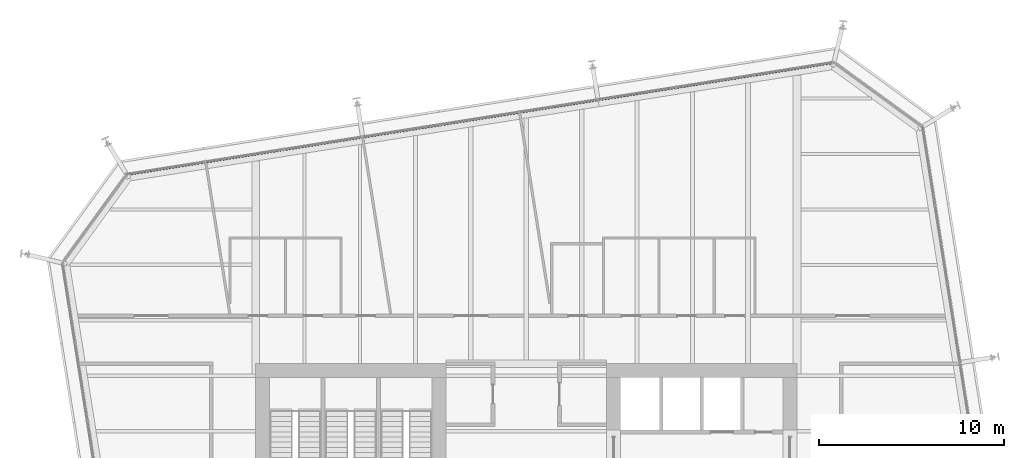
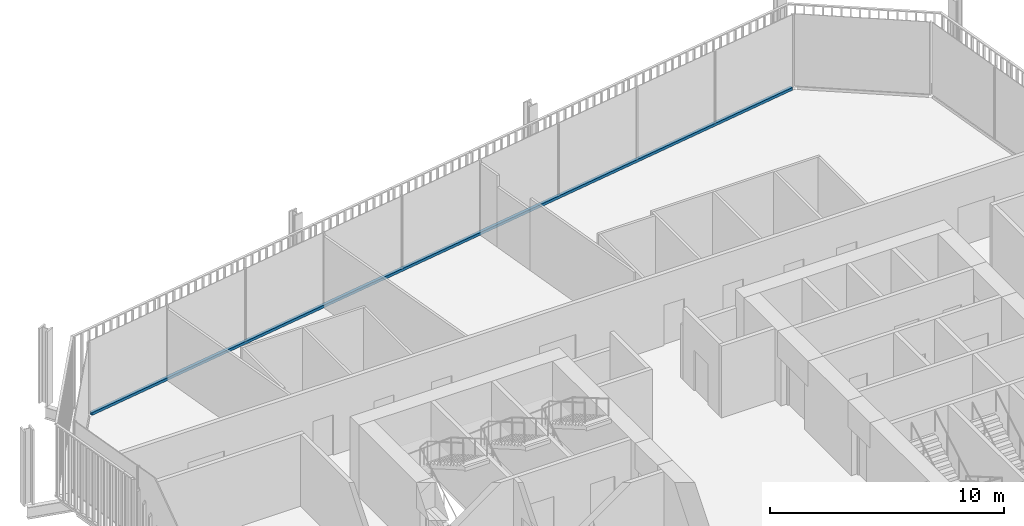
# One storey, part 12 of 21: 1 member, 1 element without a shape of its own.
"""IFC4 building model written with IfcOpenShell, lengths in metres."""

from ifc_helpers import new_model, si_unit, direction, frame, origin, origin_2d, place, context, subcontext, project, spatial, rectangle, extrude, material, layer, layer_set, material_profile, profile_set, type_object, element, aggregate, save


model = new_model("IFC4")

# Units and contexts
model_context = context("Model", 3, precision=1e-05, world=origin(), true_north=direction((0.0, 1.0)))
body_context = subcontext(model_context, "Body", "Model", "MODEL_VIEW")
ifc_project = project(units=[si_unit("LENGTHUNIT", "METRE"), si_unit("AREAUNIT", "SQUARE_METRE"), si_unit("VOLUMEUNIT", "CUBIC_METRE"), si_unit("PLANEANGLEUNIT", "RADIAN"), si_unit("MASSUNIT", "GRAM", prefix="KILO")], contexts=[model_context])

# Site, building, storey
site_placement = place(None, origin())
site = spatial("IfcSite", under=ifc_project, at=site_placement, CompositionType="ELEMENT")
building_placement = place(site_placement, origin())
building = spatial("IfcBuilding", under=site, at=building_placement, Name="Millrace Tower", CompositionType="ELEMENT")
storey_placement = place(building_placement, frame((0.0, 0.0, 183.89990234375)))
storey = spatial("IfcBuildingStorey", under=building, at=storey_placement, Name="L41", CompositionType="ELEMENT", Elevation=183.89990234375)

# Curtain wall, member
ifc_material_1 = material(Name="Aluminium and glass", Category="aluminium")
ifc_layer = layer(ifc_material_1, 0.14990234375)
ifc_layer_set = layer_set([ifc_layer], Name="Aluminium and glass")
curtain_wall_type = type_object("IfcCurtainWallType", Name="CW-1 office vision curtain wall", PredefinedType="NOTDEFINED", material=ifc_layer_set)
curtain_wall_placement = place(storey_placement, origin())
curtain_wall = element("IfcCurtainWall", 1, at=curtain_wall_placement, inside=storey, type_object=curtain_wall_type, Name="Curtain wall C-F06 L41", PredefinedType="NOTDEFINED")
ifc_material_2 = material(Name="Aluminium", Category="aluminium")
ifc_material_profile = material_profile(ifc_material_2, rectangle(XDim=0.14990234375, YDim=0.139892578125, at=origin_2d()))
ifc_profile_set = profile_set([ifc_material_profile], Name="Aluminium")
member_type = type_object("IfcMemberType", Name="CW-1 office vision curtain wall transom", PredefinedType="USERDEFINED", material=ifc_profile_set)
member_placement = place(storey_placement, frame((16.525146484375, 25.946044921875, 0.070068359375), z_axis=(-0.987688505691, -0.156433422663, 0.0), x_axis=(0.156433422663, -0.987688505691, 0.0)))
member = element("IfcMember", 2, at=member_placement, type_object=member_type, Name="CW1 transom C-F06.1", ObjectType="TRANSOM", PredefinedType="USERDEFINED", context=body_context, shape_type="SweptSolid", body=[
    extrude(rectangle(XDim=0.14990234375, YDim=0.139892578125, at=origin_2d()), origin(), (0.0, 0.0, 1.0), 38.5),
])
aggregate(curtain_wall, [member])

save(model, "model.ifc")
